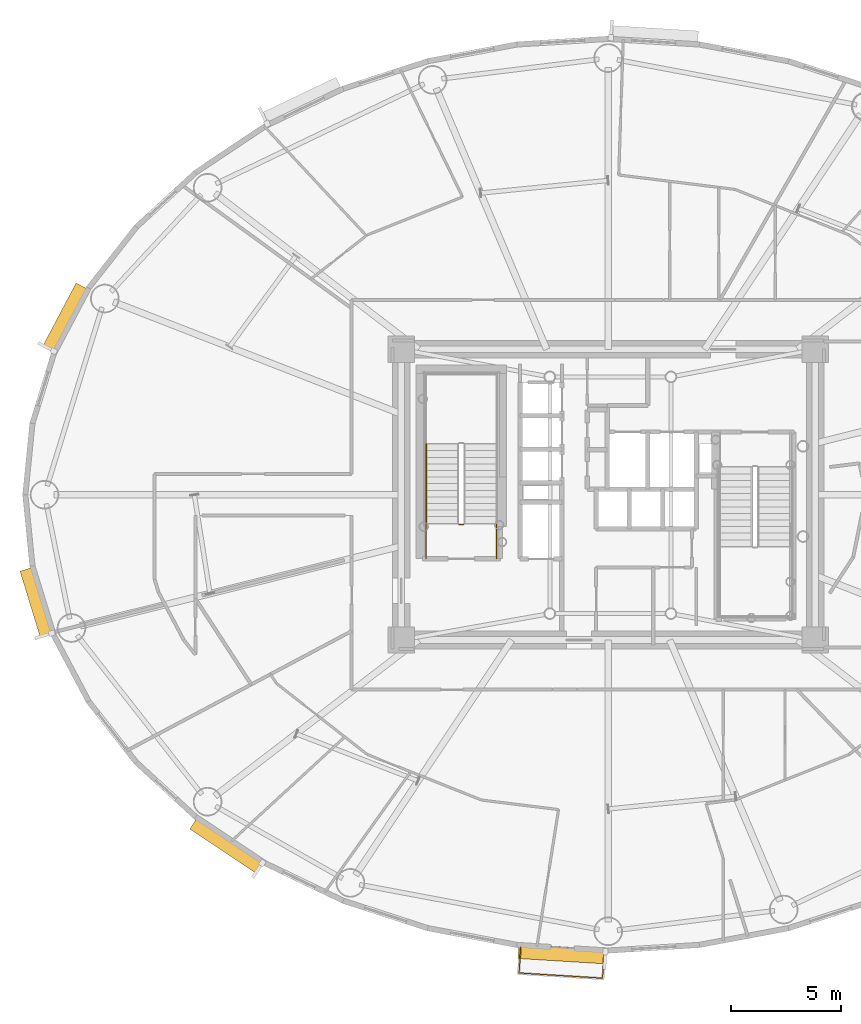
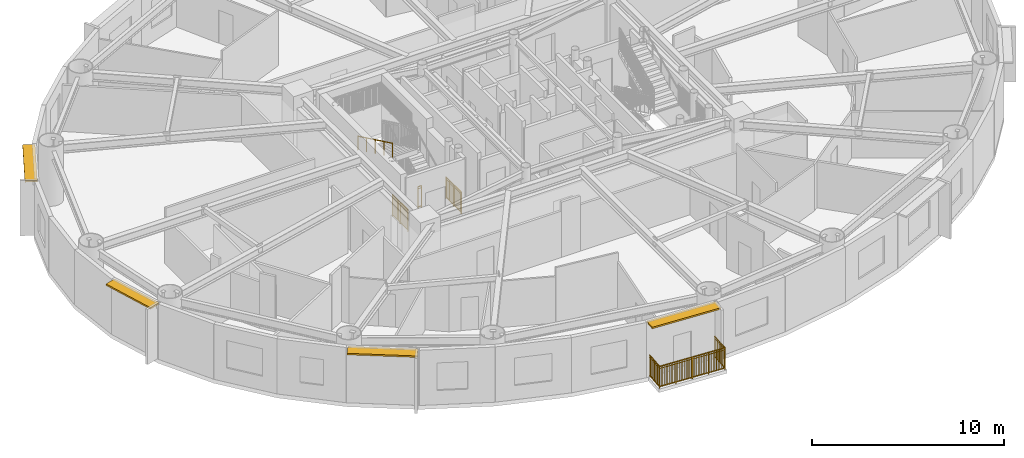
# One storey, part 14 of 19: 5 railings, 4 shading devices.
"""IFC4 building model written with IfcOpenShell, lengths in metres."""

from ifc_helpers import new_model, si_unit, direction, frame, origin, origin_2d, place, context, subcontext, project, spatial, rectangle, extrude, source, transform, mapped, material, layer, layer_set, type_object, element, save


model = new_model("IFC4")

# Units and contexts
model_context = context("Model", 3, precision=1e-05, world=origin(), true_north=direction((0.0, 1.0)))
body_context = subcontext(model_context, "Body", "Model", "MODEL_VIEW")
ifc_project = project(units=[si_unit("LENGTHUNIT", "METRE"), si_unit("AREAUNIT", "SQUARE_METRE"), si_unit("VOLUMEUNIT", "CUBIC_METRE"), si_unit("PLANEANGLEUNIT", "RADIAN"), si_unit("MASSUNIT", "GRAM", prefix="KILO")], contexts=[model_context])

# Site, building, storey
site_placement = place(None, origin())
site = spatial("IfcSite", under=ifc_project, at=site_placement, CompositionType="ELEMENT")
building_placement = place(site_placement, origin())
building = spatial("IfcBuilding", under=site, at=building_placement, Name="Linh Dai School and Residence Tower", CompositionType="ELEMENT")
storey_placement = place(building_placement, frame((0.0, 0.0, 193.64990234375)))
storey = spatial("IfcBuildingStorey", under=building, at=storey_placement, Name="L47", CompositionType="ELEMENT", Elevation=193.64990234375)

# Shading devices
ifc_material_1 = material(Name="Terracotta Ceramic Sunshade", Category="masonry")
ifc_layer = layer(ifc_material_1, 0.10009765625)
ifc_layer_set = layer_set([ifc_layer], Name="Terracotta Ceramic Sunshade")
shading_device_type = type_object("IfcShadingDeviceType", Name="SHD-TC-650", PredefinedType="USERDEFINED", material=ifc_layer_set)
shared_shape_1 = source(origin(), body_context, "Body", "SweptSolid", [
    extrude(rectangle(XDim=3.168212890625, YDim=0.64990234375, at=origin_2d()), origin(), (0.0, 0.0, 1.0), 0.10009765625),
])
shading_device_1_placement = place(storey_placement, frame((10.061279296875, 22.105224609375, 3.380126953125), z_axis=(0.0, 0.0, 1.0), x_axis=(-0.293121969301, 0.956075055167, 0.0)))
element("IfcShadingDevice", 1, at=shading_device_1_placement, inside=storey, type_object=shading_device_type, Name="L47 Terracotta Horizontal Sunshade Band 22", ObjectType="SUNSHADE", PredefinedType="USERDEFINED", context=body_context, shape_type="MappedRepresentation", body=[
    mapped(shared_shape_1, transform((0.0, 0.0, 0.0), x_axis=(1.0, 0.0, 0.0), y_axis=(0.0, 1.0, 0.0), z_axis=(0.0, 0.0, 1.0), scale=1.0)),
])
shared_shape_2 = source(origin(), body_context, "Body", "SweptSolid", [
    extrude(rectangle(XDim=3.64794921875, YDim=0.64990234375, at=origin_2d()), origin(), (0.0, 0.0, 1.0), 0.10009765625),
])
shading_device_2_placement = place(storey_placement, frame((18.68896484375, 11.076171875, 3.380126953125), z_axis=(0.0, 0.0, 1.0), x_axis=(-0.831228338651, 0.555931154932, 0.0)))
element("IfcShadingDevice", 2, at=shading_device_2_placement, inside=storey, type_object=shading_device_type, Name="L47 Terracotta Horizontal Sunshade Band 26", ObjectType="SUNSHADE", PredefinedType="USERDEFINED", context=body_context, shape_type="MappedRepresentation", body=[
    mapped(shared_shape_2, transform((0.0, 0.0, 0.0), x_axis=(1.0, 0.0, 0.0), y_axis=(0.0, 1.0, 0.0), z_axis=(0.0, 0.0, 1.0), scale=1.0)),
])
shared_shape_3 = source(origin(), body_context, "Body", "SweptSolid", [
    extrude(rectangle(XDim=3.987548828125, YDim=0.64990234375, at=origin_2d()), origin(), (0.0, 0.0, 1.0), 0.10009765625),
])
shading_device_3_placement = place(storey_placement, frame((33.90966796875, 6.13818359375, 3.380126953125), z_axis=(0.0, 0.0, 1.0), x_axis=(-0.99810632076, 0.061512376467, 0.0)))
element("IfcShadingDevice", 3, at=shading_device_3_placement, inside=storey, type_object=shading_device_type, Name="L47 Terracotta Horizontal Sunshade Band 30", ObjectType="SUNSHADE", PredefinedType="USERDEFINED", context=body_context, shape_type="MappedRepresentation", body=[
    mapped(shared_shape_3, transform((0.0, 0.0, 0.0), x_axis=(1.0, 0.0, 0.0), y_axis=(0.0, 1.0, 0.0), z_axis=(0.0, 0.0, 1.0), scale=1.0)),
])
shared_shape_4 = source(origin(), body_context, "Body", "SweptSolid", [
    extrude(rectangle(XDim=3.257568359375, YDim=0.64990234375, at=origin_2d()), origin(), (0.0, 0.0, 1.0), 0.10009765625),
])
shading_device_4_placement = place(storey_placement, frame((11.358642578125, 35.02197265625, 3.380126953125), z_axis=(0.0, 0.0, 1.0), x_axis=(0.467580060884, 0.883950726378, 0.0)))
element("IfcShadingDevice", 4, at=shading_device_4_placement, inside=storey, type_object=shading_device_type, Name="L47 Terracotta Horizontal Sunshade Band 18", ObjectType="SUNSHADE", PredefinedType="USERDEFINED", context=body_context, shape_type="MappedRepresentation", body=[
    mapped(shared_shape_4, transform((0.0, 0.0, 0.0), x_axis=(1.0, 0.0, 0.0), y_axis=(0.0, 1.0, 0.0), z_axis=(0.0, 0.0, 1.0), scale=1.0)),
])

# Railings
ifc_material_2 = material(Name="Structural Steel S355JR", Category="steel")
railing_type_1 = type_object("IfcRailingType", Name="RL-BAL-1400", PredefinedType="BALUSTRADE", material=ifc_material_2)
shared_shape_5 = source(origin(), body_context, "Body", "SweptSolid", [
    extrude(rectangle(XDim=0.048095703125, YDim=0.048095703125, at=origin_2d()), frame((0.0, 0.0, 1.3759765625), z_axis=(-0.061656929038, -0.99809740161, 0.0), x_axis=(0.99809740161, -0.061656929038, 0.0)), (0.0, 0.0, 1.0), 1.179931640625),
    extrude(rectangle(XDim=0.048095703125, YDim=0.048095703125, at=origin_2d()), frame((0.0, 0.0, 0.10009765625), z_axis=(-0.061656929038, -0.99809740161, 0.0), x_axis=(0.99809740161, -0.061656929038, 0.0)), (0.0, 0.0, 1.0), 1.179931640625),
    extrude(rectangle(XDim=0.030029296875, YDim=0.030029296875, at=origin_2d()), frame((0.0, 0.0, 1.239990234375), z_axis=(-0.061656929038, -0.99809740161, 0.0), x_axis=(0.99809740161, -0.061656929038, 0.0)), (0.0, 0.0, 1.0), 1.179931640625),
    extrude(rectangle(XDim=0.02001953125, YDim=0.02001953125, at=origin_2d()), frame((-0.005615234375, -0.090576171875, 0.10009765625)), (0.0, 0.0, 1.0), 1.251708984375),
    extrude(rectangle(XDim=0.02001953125, YDim=0.02001953125, at=origin_2d()), frame((-0.01123046875, -0.18115234375, 0.10009765625)), (0.0, 0.0, 1.0), 1.251708984375),
    extrude(rectangle(XDim=0.02001953125, YDim=0.02001953125, at=origin_2d()), frame((-0.016845703125, -0.271728515625, 0.10009765625)), (0.0, 0.0, 1.0), 1.251708984375),
    extrude(rectangle(XDim=0.02001953125, YDim=0.02001953125, at=origin_2d()), frame((-0.0224609375, -0.3623046875, 0.10009765625)), (0.0, 0.0, 1.0), 1.251708984375),
    extrude(rectangle(XDim=0.02001953125, YDim=0.02001953125, at=origin_2d()), frame((-0.028076171875, -0.452880859375, 0.10009765625)), (0.0, 0.0, 1.0), 1.251708984375),
    extrude(rectangle(XDim=0.02001953125, YDim=0.02001953125, at=origin_2d()), frame((-0.03369140625, -0.54345703125, 0.10009765625)), (0.0, 0.0, 1.0), 1.251708984375),
    extrude(rectangle(XDim=0.02001953125, YDim=0.02001953125, at=origin_2d()), frame((-0.0390625, -0.63427734375, 0.10009765625)), (0.0, 0.0, 1.0), 1.251708984375),
    extrude(rectangle(XDim=0.02001953125, YDim=0.02001953125, at=origin_2d()), frame((-0.044677734375, -0.724853515625, 0.10009765625)), (0.0, 0.0, 1.0), 1.251708984375),
    extrude(rectangle(XDim=0.02001953125, YDim=0.02001953125, at=origin_2d()), frame((-0.05029296875, -0.8154296875, 0.10009765625)), (0.0, 0.0, 1.0), 1.251708984375),
    extrude(rectangle(XDim=0.02001953125, YDim=0.02001953125, at=origin_2d()), frame((-0.055908203125, -0.906005859375, 0.10009765625)), (0.0, 0.0, 1.0), 1.251708984375),
    extrude(rectangle(XDim=0.02001953125, YDim=0.02001953125, at=origin_2d()), frame((-0.0615234375, -0.99658203125, 0.10009765625)), (0.0, 0.0, 1.0), 1.251708984375),
    extrude(rectangle(XDim=0.02001953125, YDim=0.02001953125, at=origin_2d()), frame((-0.067138671875, -1.087158203125, 0.10009765625)), (0.0, 0.0, 1.0), 1.251708984375),
    extrude(rectangle(XDim=0.048095703125, YDim=0.048095703125, at=origin_2d()), frame((-0.07275390625, -1.177734375, 1.3759765625), z_axis=(-0.998105551914, 0.061524850579, 0.0), x_axis=(-0.061524850579, -0.998105551914, 0.0)), (0.0, 0.0, 1.0), 3.79345703125),
    extrude(rectangle(XDim=0.048095703125, YDim=0.048095703125, at=origin_2d()), frame((-0.07275390625, -1.177734375, 0.10009765625), z_axis=(-0.998105551914, 0.061524850579, 0.0), x_axis=(-0.061524850579, -0.998105551914, 0.0)), (0.0, 0.0, 1.0), 3.79345703125),
    extrude(rectangle(XDim=0.030029296875, YDim=0.030029296875, at=origin_2d()), frame((-0.07275390625, -1.177734375, 1.239990234375), z_axis=(-0.998105551914, 0.061524850579, 0.0), x_axis=(-0.061524850579, -0.998105551914, 0.0)), (0.0, 0.0, 1.0), 3.79345703125),
    extrude(rectangle(XDim=0.02001953125, YDim=0.02001953125, at=origin_2d()), frame((-0.169921875, -1.171630859375, 0.10009765625)), (0.0, 0.0, 1.0), 1.251708984375),
    extrude(rectangle(XDim=0.02001953125, YDim=0.02001953125, at=origin_2d()), frame((-0.266845703125, -1.165771484375, 0.10009765625)), (0.0, 0.0, 1.0), 1.251708984375),
    extrude(rectangle(XDim=0.02001953125, YDim=0.02001953125, at=origin_2d()), frame((-0.364013671875, -1.15966796875, 0.10009765625)), (0.0, 0.0, 1.0), 1.251708984375),
    extrude(rectangle(XDim=0.02001953125, YDim=0.02001953125, at=origin_2d()), frame((-0.461181640625, -1.15380859375, 0.10009765625)), (0.0, 0.0, 1.0), 1.251708984375),
    extrude(rectangle(XDim=0.02001953125, YDim=0.02001953125, at=origin_2d()), frame((-0.55810546875, -1.147705078125, 0.10009765625)), (0.0, 0.0, 1.0), 1.251708984375),
    extrude(rectangle(XDim=0.02001953125, YDim=0.02001953125, at=origin_2d()), frame((-0.6552734375, -1.141845703125, 0.10009765625)), (0.0, 0.0, 1.0), 1.251708984375),
    extrude(rectangle(XDim=0.02001953125, YDim=0.02001953125, at=origin_2d()), frame((-0.75244140625, -1.1357421875, 0.10009765625)), (0.0, 0.0, 1.0), 1.251708984375),
    extrude(rectangle(XDim=0.02001953125, YDim=0.02001953125, at=origin_2d()), frame((-0.849365234375, -1.1298828125, 0.10009765625)), (0.0, 0.0, 1.0), 1.251708984375),
    extrude(rectangle(XDim=0.02001953125, YDim=0.02001953125, at=origin_2d()), frame((-0.946533203125, -1.123779296875, 0.10009765625)), (0.0, 0.0, 1.0), 1.251708984375),
    extrude(rectangle(XDim=0.02001953125, YDim=0.02001953125, at=origin_2d()), frame((-1.140625, -1.11181640625, 0.10009765625)), (0.0, 0.0, 1.0), 1.251708984375),
    extrude(rectangle(XDim=0.02001953125, YDim=0.02001953125, at=origin_2d()), frame((-1.23779296875, -1.10595703125, 0.10009765625)), (0.0, 0.0, 1.0), 1.251708984375),
    extrude(rectangle(XDim=0.02001953125, YDim=0.02001953125, at=origin_2d()), frame((-1.3349609375, -1.099853515625, 0.10009765625)), (0.0, 0.0, 1.0), 1.251708984375),
    extrude(rectangle(XDim=0.02001953125, YDim=0.02001953125, at=origin_2d()), frame((-1.431884765625, -1.093994140625, 0.10009765625)), (0.0, 0.0, 1.0), 1.251708984375),
    extrude(rectangle(XDim=0.02001953125, YDim=0.02001953125, at=origin_2d()), frame((-1.529052734375, -1.087890625, 0.10009765625)), (0.0, 0.0, 1.0), 1.251708984375),
    extrude(rectangle(XDim=0.02001953125, YDim=0.02001953125, at=origin_2d()), frame((-1.626220703125, -1.08203125, 0.10009765625)), (0.0, 0.0, 1.0), 1.251708984375),
    extrude(rectangle(XDim=0.02001953125, YDim=0.02001953125, at=origin_2d()), frame((-1.72314453125, -1.075927734375, 0.10009765625)), (0.0, 0.0, 1.0), 1.251708984375),
    extrude(rectangle(XDim=0.02001953125, YDim=0.02001953125, at=origin_2d()), frame((-1.8203125, -1.070068359375, 0.10009765625)), (0.0, 0.0, 1.0), 1.251708984375),
    extrude(rectangle(XDim=0.02001953125, YDim=0.02001953125, at=origin_2d()), frame((-1.91748046875, -1.06396484375, 0.10009765625)), (0.0, 0.0, 1.0), 1.251708984375),
    extrude(rectangle(XDim=0.02001953125, YDim=0.02001953125, at=origin_2d()), frame((-2.014404296875, -1.05810546875, 0.10009765625)), (0.0, 0.0, 1.0), 1.251708984375),
    extrude(rectangle(XDim=0.02001953125, YDim=0.02001953125, at=origin_2d()), frame((-2.111572265625, -1.052001953125, 0.10009765625)), (0.0, 0.0, 1.0), 1.251708984375),
    extrude(rectangle(XDim=0.02001953125, YDim=0.02001953125, at=origin_2d()), frame((-2.208740234375, -1.046142578125, 0.10009765625)), (0.0, 0.0, 1.0), 1.251708984375),
    extrude(rectangle(XDim=0.02001953125, YDim=0.02001953125, at=origin_2d()), frame((-2.3056640625, -1.0400390625, 0.10009765625)), (0.0, 0.0, 1.0), 1.251708984375),
    extrude(rectangle(XDim=0.02001953125, YDim=0.02001953125, at=origin_2d()), frame((-2.40283203125, -1.0341796875, 0.10009765625)), (0.0, 0.0, 1.0), 1.251708984375),
    extrude(rectangle(XDim=0.02001953125, YDim=0.02001953125, at=origin_2d()), frame((-2.5, -1.028076171875, 0.10009765625)), (0.0, 0.0, 1.0), 1.251708984375),
    extrude(rectangle(XDim=0.02001953125, YDim=0.02001953125, at=origin_2d()), frame((-2.596923828125, -1.022216796875, 0.10009765625)), (0.0, 0.0, 1.0), 1.251708984375),
    extrude(rectangle(XDim=0.02001953125, YDim=0.02001953125, at=origin_2d()), frame((-2.694091796875, -1.01611328125, 0.10009765625)), (0.0, 0.0, 1.0), 1.251708984375),
    extrude(rectangle(XDim=0.02001953125, YDim=0.02001953125, at=origin_2d()), frame((-2.791259765625, -1.01025390625, 0.10009765625)), (0.0, 0.0, 1.0), 1.251708984375),
    extrude(rectangle(XDim=0.02001953125, YDim=0.02001953125, at=origin_2d()), frame((-2.9853515625, -0.998291015625, 0.10009765625)), (0.0, 0.0, 1.0), 1.251708984375),
    extrude(rectangle(XDim=0.02001953125, YDim=0.02001953125, at=origin_2d()), frame((-3.08251953125, -0.9921875, 0.10009765625)), (0.0, 0.0, 1.0), 1.251708984375),
    extrude(rectangle(XDim=0.02001953125, YDim=0.02001953125, at=origin_2d()), frame((-3.179443359375, -0.986328125, 0.10009765625)), (0.0, 0.0, 1.0), 1.251708984375),
    extrude(rectangle(XDim=0.02001953125, YDim=0.02001953125, at=origin_2d()), frame((-3.276611328125, -0.980224609375, 0.10009765625)), (0.0, 0.0, 1.0), 1.251708984375),
    extrude(rectangle(XDim=0.02001953125, YDim=0.02001953125, at=origin_2d()), frame((-3.373779296875, -0.974365234375, 0.10009765625)), (0.0, 0.0, 1.0), 1.251708984375),
    extrude(rectangle(XDim=0.02001953125, YDim=0.02001953125, at=origin_2d()), frame((-3.470703125, -0.96826171875, 0.10009765625)), (0.0, 0.0, 1.0), 1.251708984375),
    extrude(rectangle(XDim=0.02001953125, YDim=0.02001953125, at=origin_2d()), frame((-3.56787109375, -0.96240234375, 0.10009765625)), (0.0, 0.0, 1.0), 1.251708984375),
    extrude(rectangle(XDim=0.02001953125, YDim=0.02001953125, at=origin_2d()), frame((-3.6650390625, -0.956298828125, 0.10009765625)), (0.0, 0.0, 1.0), 1.251708984375),
    extrude(rectangle(XDim=0.02001953125, YDim=0.02001953125, at=origin_2d()), frame((-3.761962890625, -0.950439453125, 0.10009765625)), (0.0, 0.0, 1.0), 1.251708984375),
    extrude(rectangle(XDim=0.048095703125, YDim=0.048095703125, at=origin_2d()), frame((-3.859130859375, -0.9443359375, 1.3759765625), z_axis=(0.061450809207, 0.998110113188, 0.0), x_axis=(-0.998110113188, 0.061450809207, 0.0)), (0.0, 0.0, 1.0), 1.179931640625),
    extrude(rectangle(XDim=0.048095703125, YDim=0.048095703125, at=origin_2d()), frame((-3.859130859375, -0.9443359375, 0.10009765625), z_axis=(0.061450809207, 0.998110113188, 0.0), x_axis=(-0.998110113188, 0.061450809207, 0.0)), (0.0, 0.0, 1.0), 1.179931640625),
    extrude(rectangle(XDim=0.030029296875, YDim=0.030029296875, at=origin_2d()), frame((-3.859130859375, -0.9443359375, 1.239990234375), z_axis=(0.061450809207, 0.998110113188, 0.0), x_axis=(-0.998110113188, 0.061450809207, 0.0)), (0.0, 0.0, 1.0), 1.179931640625),
    extrude(rectangle(XDim=0.02001953125, YDim=0.02001953125, at=origin_2d()), frame((-3.853515625, -0.853759765625, 0.10009765625)), (0.0, 0.0, 1.0), 1.251708984375),
    extrude(rectangle(XDim=0.02001953125, YDim=0.02001953125, at=origin_2d()), frame((-3.847900390625, -0.76318359375, 0.10009765625)), (0.0, 0.0, 1.0), 1.251708984375),
    extrude(rectangle(XDim=0.02001953125, YDim=0.02001953125, at=origin_2d()), frame((-3.84228515625, -0.672607421875, 0.10009765625)), (0.0, 0.0, 1.0), 1.251708984375),
    extrude(rectangle(XDim=0.02001953125, YDim=0.02001953125, at=origin_2d()), frame((-3.8369140625, -0.58203125, 0.10009765625)), (0.0, 0.0, 1.0), 1.251708984375),
    extrude(rectangle(XDim=0.02001953125, YDim=0.02001953125, at=origin_2d()), frame((-3.831298828125, -0.491455078125, 0.10009765625)), (0.0, 0.0, 1.0), 1.251708984375),
    extrude(rectangle(XDim=0.02001953125, YDim=0.02001953125, at=origin_2d()), frame((-3.82568359375, -0.40087890625, 0.10009765625)), (0.0, 0.0, 1.0), 1.251708984375),
    extrude(rectangle(XDim=0.02001953125, YDim=0.02001953125, at=origin_2d()), frame((-3.820068359375, -0.31005859375, 0.10009765625)), (0.0, 0.0, 1.0), 1.251708984375),
    extrude(rectangle(XDim=0.02001953125, YDim=0.02001953125, at=origin_2d()), frame((-3.814453125, -0.219482421875, 0.10009765625)), (0.0, 0.0, 1.0), 1.251708984375),
    extrude(rectangle(XDim=0.02001953125, YDim=0.02001953125, at=origin_2d()), frame((-3.808837890625, -0.12890625, 0.10009765625)), (0.0, 0.0, 1.0), 1.251708984375),
    extrude(rectangle(XDim=0.02001953125, YDim=0.02001953125, at=origin_2d()), frame((-3.803466796875, -0.038330078125, 0.10009765625)), (0.0, 0.0, 1.0), 1.251708984375),
    extrude(rectangle(XDim=0.02001953125, YDim=0.02001953125, at=origin_2d()), frame((-3.7978515625, 0.05224609375, 0.10009765625)), (0.0, 0.0, 1.0), 1.251708984375),
    extrude(rectangle(XDim=0.02001953125, YDim=0.02001953125, at=origin_2d()), frame((-3.792236328125, 0.142822265625, 0.10009765625)), (0.0, 0.0, 1.0), 1.251708984375),
    extrude(rectangle(XDim=0.0419921875, YDim=0.0419921875, at=origin_2d()), origin(), (0.0, 0.0, 1.0), 1.3759765625),
    extrude(rectangle(XDim=0.0419921875, YDim=0.0419921875, at=origin_2d()), frame((-0.07275390625, -1.177734375, 0.0)), (0.0, 0.0, 1.0), 1.3759765625),
    extrude(rectangle(XDim=0.0419921875, YDim=0.0419921875, at=origin_2d()), frame((-1.019287109375, -1.119384765625, 0.0)), (0.0, 0.0, 1.0), 1.3759765625),
    extrude(rectangle(XDim=0.0419921875, YDim=0.0419921875, at=origin_2d()), frame((-1.9658203125, -1.06103515625, 0.0)), (0.0, 0.0, 1.0), 1.3759765625),
    extrude(rectangle(XDim=0.0419921875, YDim=0.0419921875, at=origin_2d()), frame((-2.91259765625, -1.002685546875, 0.0)), (0.0, 0.0, 1.0), 1.3759765625),
    extrude(rectangle(XDim=0.0419921875, YDim=0.0419921875, at=origin_2d()), frame((-3.859130859375, -0.9443359375, 0.0)), (0.0, 0.0, 1.0), 1.3759765625),
    extrude(rectangle(XDim=0.0419921875, YDim=0.0419921875, at=origin_2d()), frame((-3.78662109375, 0.2333984375, 0.0)), (0.0, 0.0, 1.0), 1.3759765625),
])
railing_1_placement = place(storey_placement, frame((35.815185546875, 6.22119140625, 0.0)))
element("IfcRailing", 5, at=railing_1_placement, inside=storey, type_object=railing_type_1, Name="L47 Balcony Safety Balustrade 30", PredefinedType="BALUSTRADE", context=body_context, shape_type="MappedRepresentation", body=[
    mapped(shared_shape_5, transform((0.0, 0.0, 0.0), x_axis=(1.0, 0.0, 0.0), y_axis=(0.0, 1.0, 0.0), z_axis=(0.0, 0.0, 1.0), scale=1.0)),
])
railing_type_2 = type_object("IfcRailingType", Name="RL-ST-GUARD-1400", PredefinedType="GUARDRAIL", material=ifc_material_2)
shared_shape_6 = source(origin(), body_context, "Body", "SweptSolid", [
    extrude(rectangle(XDim=0.048095703125, YDim=0.048095703125, at=origin_2d()), frame((0.0, 0.0, 1.3759765625), z_axis=(-1.0, 0.0, 0.0), x_axis=(0.0, -1.0, 0.0)), (0.0, 0.0, 1.0), 0.199951171875),
    extrude(rectangle(XDim=0.048095703125, YDim=0.048095703125, at=origin_2d()), frame((0.0, 0.0, 0.10009765625), z_axis=(-1.0, 0.0, 0.0), x_axis=(0.0, -1.0, 0.0)), (0.0, 0.0, 1.0), 0.199951171875),
    extrude(rectangle(XDim=0.030029296875, YDim=0.030029296875, at=origin_2d()), frame((0.0, 0.0, 1.239990234375), z_axis=(-1.0, 0.0, 0.0), x_axis=(0.0, -1.0, 0.0)), (0.0, 0.0, 1.0), 0.199951171875),
    extrude(rectangle(XDim=0.0419921875, YDim=0.0419921875, at=origin_2d()), origin(), (0.0, 0.0, 1.0), 1.3759765625),
    extrude(rectangle(XDim=0.0419921875, YDim=0.0419921875, at=origin_2d()), frame((-0.199951171875, 0.0, 0.0)), (0.0, 0.0, 1.0), 1.3759765625),
])
railing_2_placement = place(storey_placement, frame((29.429931640625, 25.64990234375, 0.0)))
element("IfcRailing", 6, at=railing_2_placement, inside=storey, type_object=railing_type_2, Name="L47 ST1 stair guard 7", PredefinedType="GUARDRAIL", context=body_context, shape_type="MappedRepresentation", body=[
    mapped(shared_shape_6, transform((0.0, 0.0, 0.0), x_axis=(1.0, 0.0, 0.0), y_axis=(0.0, 1.0, 0.0), z_axis=(0.0, 0.0, 1.0), scale=1.0)),
])
shared_shape_7 = source(origin(), body_context, "Body", "SweptSolid", [
    extrude(rectangle(XDim=0.048095703125, YDim=0.048095703125, at=origin_2d()), frame((0.0, 0.0, 1.3759765625), z_axis=(0.0, 1.0, 0.0), x_axis=(-1.0, 0.0, 0.0)), (0.0, 0.0, 1.0), 1.599853515625),
    extrude(rectangle(XDim=0.048095703125, YDim=0.048095703125, at=origin_2d()), frame((0.0, 0.0, 0.10009765625), z_axis=(0.0, 1.0, 0.0), x_axis=(-1.0, 0.0, 0.0)), (0.0, 0.0, 1.0), 1.599853515625),
    extrude(rectangle(XDim=0.030029296875, YDim=0.030029296875, at=origin_2d()), frame((0.0, 0.0, 1.239990234375), z_axis=(0.0, 1.0, 0.0), x_axis=(-1.0, 0.0, 0.0)), (0.0, 0.0, 1.0), 1.599853515625),
    extrude(rectangle(XDim=0.02001953125, YDim=0.02001953125, at=origin_2d()), frame((0.0, 0.093994140625, 0.10009765625)), (0.0, 0.0, 1.0), 1.251708984375),
    extrude(rectangle(XDim=0.02001953125, YDim=0.02001953125, at=origin_2d()), frame((0.0, 0.188232421875, 0.10009765625)), (0.0, 0.0, 1.0), 1.251708984375),
    extrude(rectangle(XDim=0.02001953125, YDim=0.02001953125, at=origin_2d()), frame((0.0, 0.2822265625, 0.10009765625)), (0.0, 0.0, 1.0), 1.251708984375),
    extrude(rectangle(XDim=0.02001953125, YDim=0.02001953125, at=origin_2d()), frame((0.0, 0.37646484375, 0.10009765625)), (0.0, 0.0, 1.0), 1.251708984375),
    extrude(rectangle(XDim=0.02001953125, YDim=0.02001953125, at=origin_2d()), frame((0.0, 0.470458984375, 0.10009765625)), (0.0, 0.0, 1.0), 1.251708984375),
    extrude(rectangle(XDim=0.02001953125, YDim=0.02001953125, at=origin_2d()), frame((0.0, 0.564697265625, 0.10009765625)), (0.0, 0.0, 1.0), 1.251708984375),
    extrude(rectangle(XDim=0.02001953125, YDim=0.02001953125, at=origin_2d()), frame((0.0, 0.65869140625, 0.10009765625)), (0.0, 0.0, 1.0), 1.251708984375),
    extrude(rectangle(XDim=0.02001953125, YDim=0.02001953125, at=origin_2d()), frame((0.0, 0.7529296875, 0.10009765625)), (0.0, 0.0, 1.0), 1.251708984375),
    extrude(rectangle(XDim=0.02001953125, YDim=0.02001953125, at=origin_2d()), frame((0.0, 0.846923828125, 0.10009765625)), (0.0, 0.0, 1.0), 1.251708984375),
    extrude(rectangle(XDim=0.02001953125, YDim=0.02001953125, at=origin_2d()), frame((0.0, 0.941162109375, 0.10009765625)), (0.0, 0.0, 1.0), 1.251708984375),
    extrude(rectangle(XDim=0.02001953125, YDim=0.02001953125, at=origin_2d()), frame((0.0, 1.03515625, 0.10009765625)), (0.0, 0.0, 1.0), 1.251708984375),
    extrude(rectangle(XDim=0.02001953125, YDim=0.02001953125, at=origin_2d()), frame((0.0, 1.12939453125, 0.10009765625)), (0.0, 0.0, 1.0), 1.251708984375),
    extrude(rectangle(XDim=0.02001953125, YDim=0.02001953125, at=origin_2d()), frame((0.0, 1.223388671875, 0.10009765625)), (0.0, 0.0, 1.0), 1.251708984375),
    extrude(rectangle(XDim=0.02001953125, YDim=0.02001953125, at=origin_2d()), frame((0.0, 1.317626953125, 0.10009765625)), (0.0, 0.0, 1.0), 1.251708984375),
    extrude(rectangle(XDim=0.02001953125, YDim=0.02001953125, at=origin_2d()), frame((0.0, 1.41162109375, 0.10009765625)), (0.0, 0.0, 1.0), 1.251708984375),
    extrude(rectangle(XDim=0.02001953125, YDim=0.02001953125, at=origin_2d()), frame((0.0, 1.505859375, 0.10009765625)), (0.0, 0.0, 1.0), 1.251708984375),
    extrude(rectangle(XDim=0.0419921875, YDim=0.0419921875, at=origin_2d()), origin(), (0.0, 0.0, 1.0), 1.3759765625),
    extrude(rectangle(XDim=0.0419921875, YDim=0.0419921875, at=origin_2d()), frame((0.0, 0.7998046875, 0.0)), (0.0, 0.0, 1.0), 1.3759765625),
    extrude(rectangle(XDim=0.0419921875, YDim=0.0419921875, at=origin_2d()), frame((0.0, 1.599853515625, 0.0)), (0.0, 0.0, 1.0), 1.3759765625),
])
for number, where, name in (
    (7, (30.929931640625, 24.10009765625, 0.0), "L47 ST1 stair guard 8"),
    (8, (27.72998046875, 24.10009765625, 0.0), "L47 ST1 stair guard 9"),
):
    element("IfcRailing", number, at=place(storey_placement, frame(where)), inside=storey, type_object=railing_type_2, Name=name, PredefinedType="GUARDRAIL", context=body_context, shape_type="MappedRepresentation", body=[
        mapped(shared_shape_7, transform((0.0, 0.0, 0.0), x_axis=(1.0, 0.0, 0.0), y_axis=(0.0, 1.0, 0.0), z_axis=(0.0, 0.0, 1.0), scale=1.0)),
    ])
ifc_material_3 = material(Name="Brushed Stainless Steel Handrail", Category="steel")
railing_type_3 = type_object("IfcRailingType", Name="RL-ST-HANDRAIL-900", PredefinedType="HANDRAIL", material=ifc_material_3)
shared_shape_8 = source(origin(), body_context, "Body", "SweptSolid", [
    extrude(rectangle(XDim=0.048095703125, YDim=0.048095703125, at=origin_2d()), frame((0.0, 0.0, 0.8759765625), z_axis=(0.0, -0.901262522062, 0.433273431364), x_axis=(1.0, 0.0, 0.0)), (0.0, 0.0, 1.0), 3.994384765625),
    extrude(rectangle(XDim=0.0419921875, YDim=0.0419921875, at=origin_2d()), origin(), (0.0, 0.0, 1.0), 0.8759765625),
    extrude(rectangle(XDim=0.0419921875, YDim=0.0419921875, at=origin_2d()), frame((0.0, -0.89990234375, 0.4326171875)), (0.0, 0.0, 1.0), 0.8759765625),
    extrude(rectangle(XDim=0.0419921875, YDim=0.0419921875, at=origin_2d()), frame((0.0, -1.800048828125, 0.865234375)), (0.0, 0.0, 1.0), 0.8759765625),
    extrude(rectangle(XDim=0.0419921875, YDim=0.0419921875, at=origin_2d()), frame((0.0, -2.7001953125, 1.298095703125)), (0.0, 0.0, 1.0), 0.8759765625),
    extrude(rectangle(XDim=0.0419921875, YDim=0.0419921875, at=origin_2d()), frame((0.0, -3.60009765625, 1.730712890625)), (0.0, 0.0, 1.0), 0.8759765625),
])
railing_3_placement = place(storey_placement, frame((27.72998046875, 29.300048828125, 2.019287109375)))
element("IfcRailing", 9, at=railing_3_placement, inside=storey, type_object=railing_type_3, Name="L47 ST1 stair handrail 2", PredefinedType="HANDRAIL", context=body_context, shape_type="MappedRepresentation", body=[
    mapped(shared_shape_8, transform((0.0, 0.0, 0.0), x_axis=(1.0, 0.0, 0.0), y_axis=(0.0, 1.0, 0.0), z_axis=(0.0, 0.0, 1.0), scale=1.0)),
])

save(model, "model.ifc")
